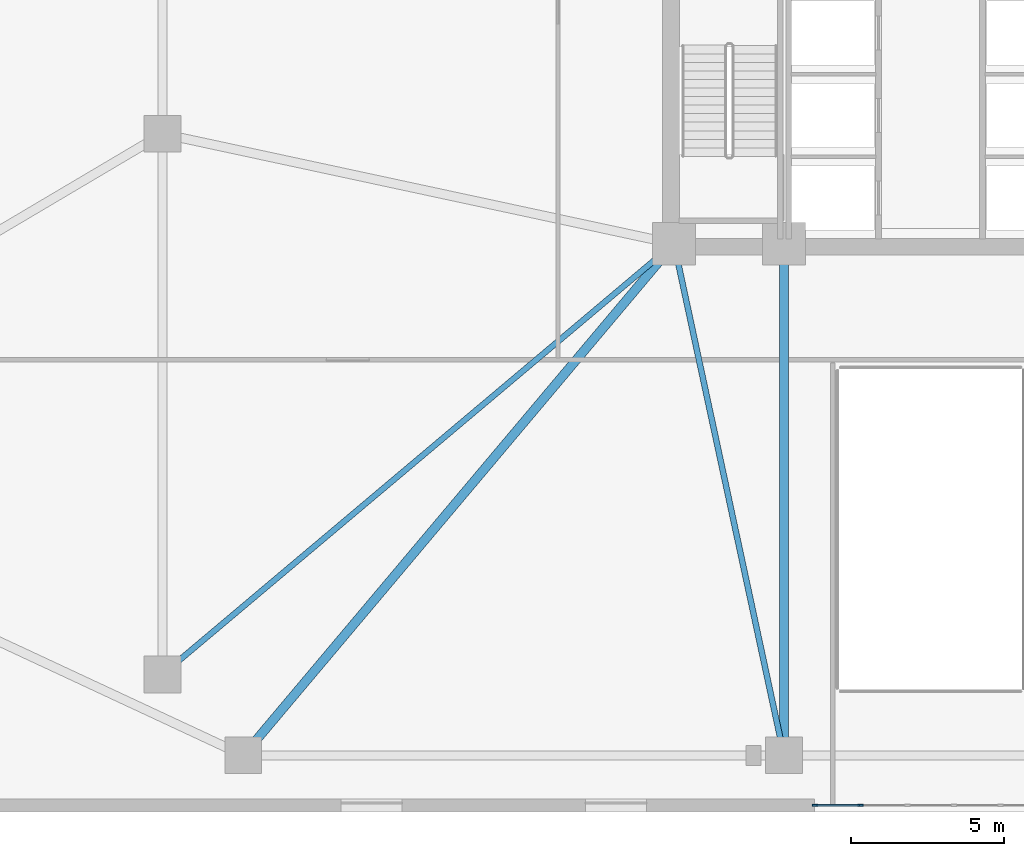
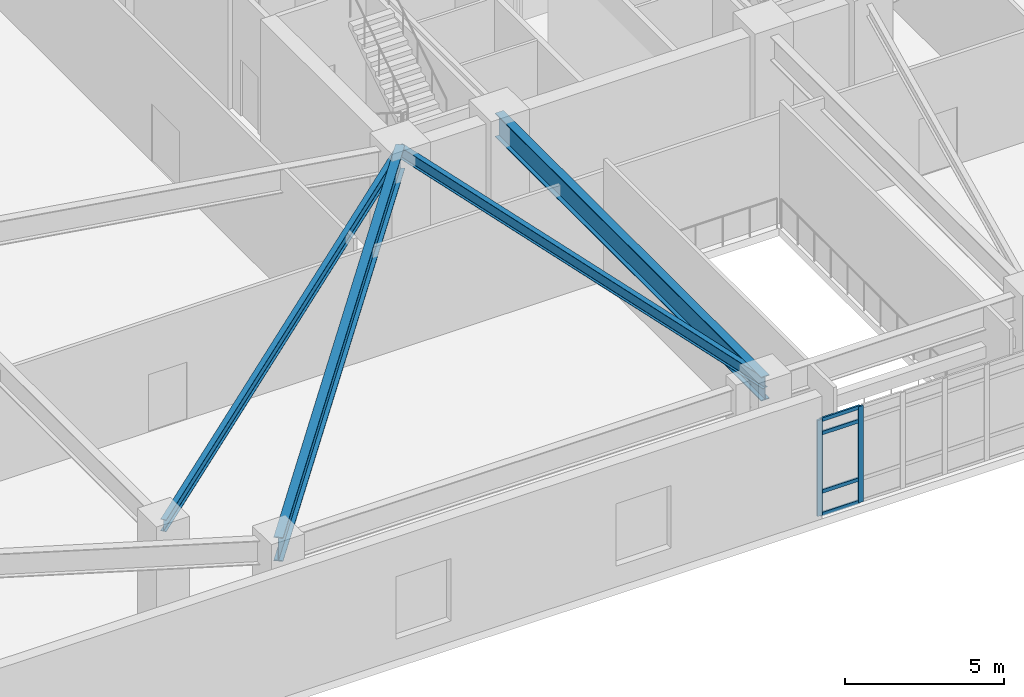
# One storey, part 2 of 20: 6 members, 4 beams, 1 element without a shape of its own.
"""IFC4 building model written with IfcOpenShell, lengths in metres."""

from ifc_helpers import new_model, si_unit, direction, frame, origin, origin_2d, place, context, subcontext, project, spatial, rectangle, i_section, extrude, material, layer, layer_set, material_profile, profile_set, type_object, element, aggregate, save


model = new_model("IFC4")

# Units and contexts
model_context = context("Model", 3, precision=1e-05, world=origin(), true_north=direction((0.0, 1.0)))
body_context = subcontext(model_context, "Body", "Model", "MODEL_VIEW")
ifc_project = project(units=[si_unit("LENGTHUNIT", "METRE"), si_unit("AREAUNIT", "SQUARE_METRE"), si_unit("VOLUMEUNIT", "CUBIC_METRE"), si_unit("PLANEANGLEUNIT", "RADIAN"), si_unit("MASSUNIT", "GRAM", prefix="KILO")], contexts=[model_context])

# Site, building, storey
site_placement = place(None, origin())
site = spatial("IfcSite", under=ifc_project, at=site_placement, CompositionType="ELEMENT")
building_placement = place(site_placement, origin())
building = spatial("IfcBuilding", under=site, at=building_placement, Name="Cairnveth Concourse Tower", CompositionType="ELEMENT")
storey_placement = place(building_placement, frame((0.0, 0.0, 5.0)))
storey = spatial("IfcBuildingStorey", under=building, at=storey_placement, Name="L01", CompositionType="ELEMENT", Elevation=5.0)

# Curtain wall, members
ifc_material_1 = material(Name="Architectural Bronze Anodised Aluminium 6063-T6", Category="aluminium")
ifc_layer = layer(ifc_material_1, 0.360107421875)
ifc_layer_set = layer_set([ifc_layer], Name="Architectural Bronze Anodised Aluminium 6063-T6")
curtain_wall_type = type_object("IfcCurtainWallType", Name="CONCOURSE GALLERIA PORTAL CURTAIN WALL", PredefinedType="USERDEFINED", material=ifc_layer_set)
curtain_wall_placement = place(storey_placement, origin())
curtain_wall = element("IfcCurtainWall", 1, at=curtain_wall_placement, inside=storey, type_object=curtain_wall_type, Name="Curtain Wall CW-L01-S1", ObjectType="UNITISED FACADE", PredefinedType="USERDEFINED")
ifc_material_profile_1 = material_profile(ifc_material_1, rectangle(XDim=0.06494140625, YDim=0.179931640625, at=origin_2d()), Name="AL-MUL-65x180")
ifc_profile_set_1 = profile_set([ifc_material_profile_1], Name="Architectural Bronze Anodised Aluminium 6063-T6")
member_type_1 = type_object("IfcMemberType", Name="BRONZE CURTAIN WALL MULLION AL-MUL-65x180", PredefinedType="MULLION", material=ifc_profile_set_1)
member_1_placement = place(storey_placement, frame((49.7109375, 12.2099609375, 0.0), z_axis=(0.0, 0.0, 1.0), x_axis=(0.0, -1.0, 0.0)))
member_1 = element("IfcMember", 2, at=member_1_placement, type_object=member_type_1, Name="CWS1 mullion 5", PredefinedType="MULLION", context=body_context, shape_type="SweptSolid", body=[
    extrude(rectangle(XDim=0.06494140625, YDim=0.179931640625, at=origin_2d()), origin(), (0.0, 0.0, 1.0), 3.696044921875),
])
member_2_placement = place(storey_placement, frame((48.217529296875, 12.2099609375, 0.0), z_axis=(0.0, 0.0, 1.0), x_axis=(0.0, -1.0, 0.0)))
member_2 = element("IfcMember", 3, at=member_2_placement, type_object=member_type_1, Name="CWS1 mullion 6", PredefinedType="MULLION", context=body_context, shape_type="SweptSolid", body=[
    extrude(rectangle(XDim=0.06494140625, YDim=0.179931640625, at=origin_2d()), origin(), (0.0, 0.0, 1.0), 3.696044921875),
])
ifc_material_profile_2 = material_profile(ifc_material_1, rectangle(XDim=0.06494140625, YDim=0.139892578125, at=origin_2d()), Name="AL-TRN-65x140")
ifc_profile_set_2 = profile_set([ifc_material_profile_2], Name="Architectural Bronze Anodised Aluminium 6063-T6")
member_type_2 = type_object("IfcMemberType", Name="BRONZE CURTAIN WALL TRANSOM AL-TRN-65x140", PredefinedType="USERDEFINED", material=ifc_profile_set_2)
member_3_placement = place(storey_placement, frame((49.678466796875, 12.2099609375, 0.032470703125), z_axis=(-1.0, 0.0, 0.0), x_axis=(0.0, -1.0, 0.0)))
member_3 = element("IfcMember", 4, at=member_3_placement, type_object=member_type_2, Name="CWS1 transom 5.1", ObjectType="TRANSOM", PredefinedType="USERDEFINED", context=body_context, shape_type="SweptSolid", body=[
    extrude(rectangle(XDim=0.06494140625, YDim=0.139892578125, at=origin_2d()), origin(), (0.0, 0.0, 1.0), 1.428466796875),
])
member_4_placement = place(storey_placement, frame((49.678466796875, 12.2099609375, 0.89990234375), z_axis=(-1.0, 0.0, 0.0), x_axis=(0.0, -1.0, 0.0)))
member_4 = element("IfcMember", 5, at=member_4_placement, type_object=member_type_2, Name="CWS1 transom 5.2", ObjectType="TRANSOM", PredefinedType="USERDEFINED", context=body_context, shape_type="SweptSolid", body=[
    extrude(rectangle(XDim=0.06494140625, YDim=0.139892578125, at=origin_2d()), origin(), (0.0, 0.0, 1.0), 1.428466796875),
])
member_5_placement = place(storey_placement, frame((49.678466796875, 12.2099609375, 3.14599609375), z_axis=(-1.0, 0.0, 0.0), x_axis=(0.0, -1.0, 0.0)))
member_5 = element("IfcMember", 6, at=member_5_placement, type_object=member_type_2, Name="CWS1 transom 5.3", ObjectType="TRANSOM", PredefinedType="USERDEFINED", context=body_context, shape_type="SweptSolid", body=[
    extrude(rectangle(XDim=0.06494140625, YDim=0.139892578125, at=origin_2d()), origin(), (0.0, 0.0, 1.0), 1.428466796875),
])
member_6_placement = place(storey_placement, frame((49.678466796875, 12.2099609375, 3.66357421875), z_axis=(-1.0, 0.0, 0.0), x_axis=(0.0, -1.0, 0.0)))
member_6 = element("IfcMember", 7, at=member_6_placement, type_object=member_type_2, Name="CWS1 transom 5.4", ObjectType="TRANSOM", PredefinedType="USERDEFINED", context=body_context, shape_type="SweptSolid", body=[
    extrude(rectangle(XDim=0.06494140625, YDim=0.139892578125, at=origin_2d()), origin(), (0.0, 0.0, 1.0), 1.428466796875),
])
aggregate(curtain_wall, [member_1, member_2, member_3, member_4, member_5, member_6])

# Beams
ifc_material_2 = material(Name="Steel Grade 350", Category="steel")
ifc_material_profile_3 = material_profile(ifc_material_2, i_section(OverallWidth=0.18994140625, OverallDepth=0.45703125, WebThickness=0.009033203125, FlangeThickness=0.014404296875, FilletRadius=0.010986328125, at=origin_2d()), Name="460UB74.6")
ifc_profile_set_3 = profile_set([ifc_material_profile_3], Name="Steel Grade 350")
beam_type_1 = type_object("IfcBeamType", Name="PODIUM FLOOR JOIST 460UB74.6", PredefinedType="JOIST", material=ifc_profile_set_3)
beam_1_placement = place(storey_placement, frame((26.85009765625, 16.5, 4.491455078125), z_axis=(0.765027427674, 0.643997697905, 0.0), x_axis=(-0.643997697905, 0.765027427674, 0.0)))
element("IfcBeam", 8, at=beam_1_placement, inside=storey, type_object=beam_type_1, Name="Beam PJ-SW1 L01", PredefinedType="JOIST", context=body_context, shape_type="SweptSolid", body=[
    extrude(i_section(OverallWidth=0.18994140625, OverallDepth=0.45703125, WebThickness=0.009033203125, FlangeThickness=0.014404296875, FilletRadius=0.010986328125, at=origin_2d()), origin(), (0.0, 0.0, 1.0), 21.89453125),
])
beam_2_placement = place(storey_placement, frame((43.60009765625, 30.60009765625, 4.491455078125), z_axis=(0.210118799239, -0.977675861524, 0.0), x_axis=(0.977675861524, 0.210118799239, 0.0)))
element("IfcBeam", 9, at=beam_2_placement, inside=storey, type_object=beam_type_1, Name="Beam PJ-S-X L01", PredefinedType="JOIST", context=body_context, shape_type="SweptSolid", body=[
    extrude(i_section(OverallWidth=0.18994140625, OverallDepth=0.45703125, WebThickness=0.009033203125, FlangeThickness=0.014404296875, FilletRadius=0.010986328125, at=origin_2d()), origin(), (0.0, 0.0, 1.0), 17.132568359375),
])
ifc_material_profile_4 = material_profile(ifc_material_2, i_section(OverallWidth=0.300048828125, OverallDepth=0.924072265625, WebThickness=0.013916015625, FlangeThickness=0.031982421875, at=origin_2d()), Name="900WB257")
ifc_profile_set_4 = profile_set([ifc_material_profile_4], Name="Steel Grade 350")
beam_type_2 = type_object("IfcBeamType", Name="PODIUM PRIMARY GIRDER 900WB257", PredefinedType="BEAM", material=ifc_profile_set_4)
beam_3_placement = place(storey_placement, frame((47.199951171875, 13.85009765625, 4.258056640625), z_axis=(0.0, 1.0, 0.0), x_axis=(-1.0, 0.0, 0.0)))
element("IfcBeam", 10, at=beam_3_placement, inside=storey, type_object=beam_type_2, Name="Beam PG-S1 L01", PredefinedType="BEAM", context=body_context, shape_type="SweptSolid", body=[
    extrude(i_section(OverallWidth=0.300048828125, OverallDepth=0.924072265625, WebThickness=0.013916015625, FlangeThickness=0.031982421875, at=origin_2d()), origin(), (0.0, 0.0, 1.0), 16.75),
])
beam_4_placement = place(storey_placement, frame((29.5, 13.85009765625, 4.258056640625), z_axis=(0.643997697905, 0.765027427674, 0.0), x_axis=(-0.765027427674, 0.643997697905, 0.0)))
element("IfcBeam", 11, at=beam_4_placement, inside=storey, type_object=beam_type_2, Name="Beam PG-CSW L01", PredefinedType="BEAM", context=body_context, shape_type="SweptSolid", body=[
    extrude(i_section(OverallWidth=0.300048828125, OverallDepth=0.924072265625, WebThickness=0.013916015625, FlangeThickness=0.031982421875, at=origin_2d()), origin(), (0.0, 0.0, 1.0), 21.89453125),
])

save(model, "model.ifc")
